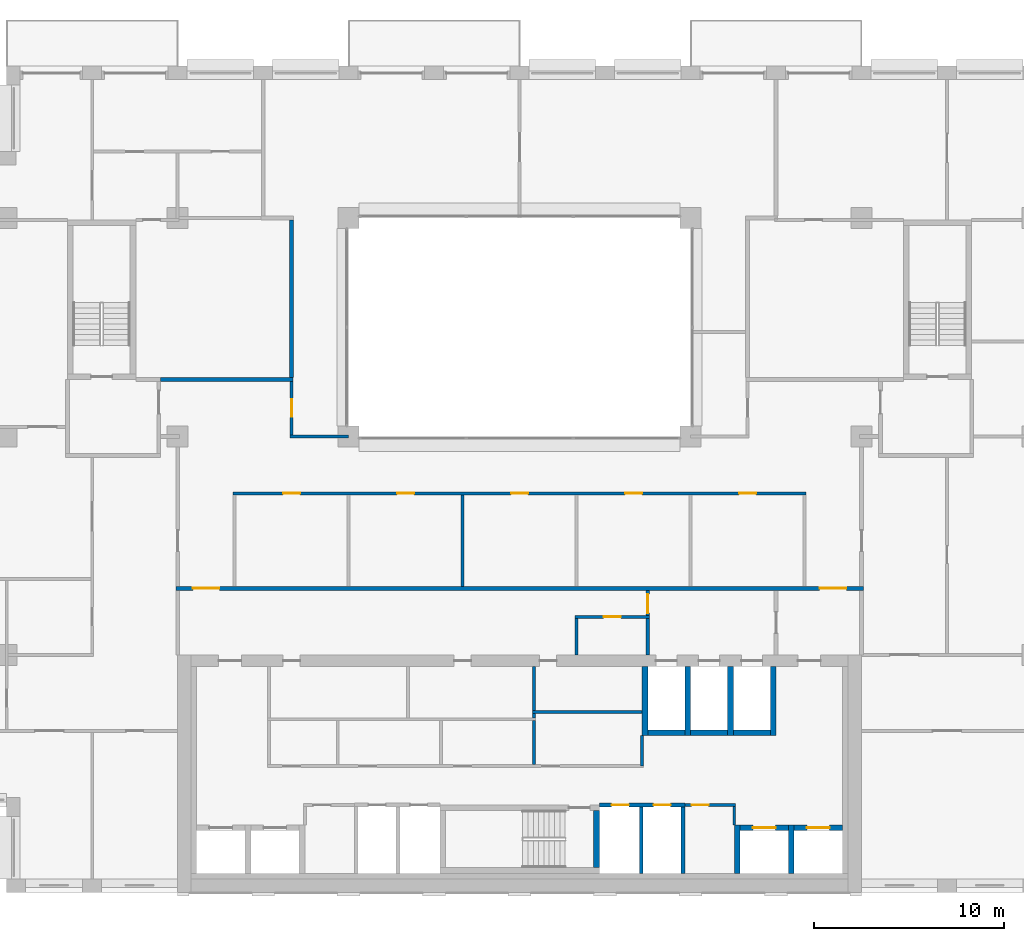
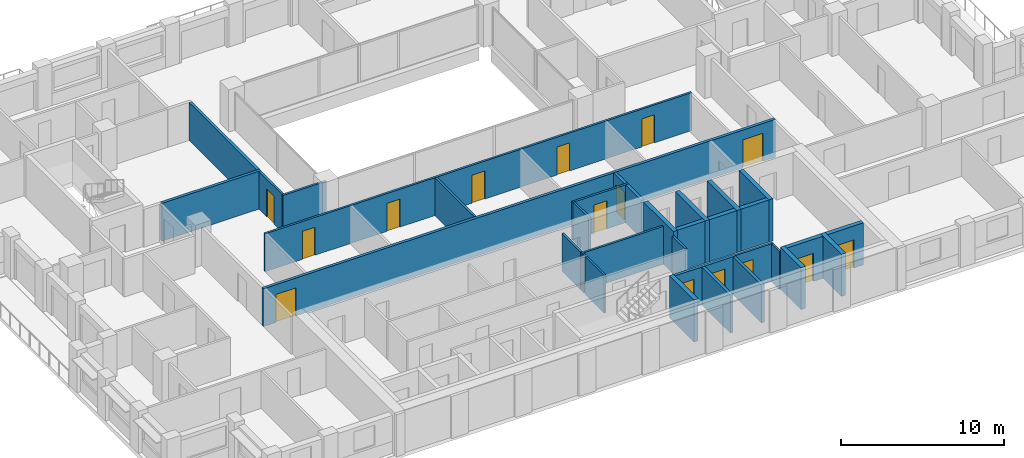
# One storey, part 10 of 16: 33 walls, 15 doors, 15 openings.
"""IFC4 building model written with IfcOpenShell, lengths in metres."""

from ifc_helpers import new_model, si_unit, direction, frame, frame_2d, origin, place, context, subcontext, project, spatial, rectangle, extrude, material, layer, layer_set, type_object, element, fill, save


model = new_model("IFC4")

# Units and contexts
model_context = context("Model", 3, precision=1e-05, world=origin(), true_north=direction((0.0, 1.0)))
body_context = subcontext(model_context, "Body", "Model", "MODEL_VIEW")
ifc_project = project(units=[si_unit("LENGTHUNIT", "METRE"), si_unit("AREAUNIT", "SQUARE_METRE"), si_unit("VOLUMEUNIT", "CUBIC_METRE"), si_unit("PLANEANGLEUNIT", "RADIAN"), si_unit("MASSUNIT", "GRAM", prefix="KILO")], contexts=[model_context])

# Site, building, storey
site_placement = place(None, origin())
site = spatial("IfcSite", under=ifc_project, at=site_placement, CompositionType="ELEMENT")
building_placement = place(site_placement, origin())
building = spatial("IfcBuilding", under=site, at=building_placement, Name="Brigalow Station Residences", CompositionType="ELEMENT")
storey_placement = place(building_placement, frame((0.0, 0.0, 163.35009765625)))
storey = spatial("IfcBuildingStorey", under=building, at=storey_placement, Name="L47", CompositionType="ELEMENT", Elevation=163.35009765625)

# Walls
ifc_material_1 = material(Name="Concrete C65", Category="concrete")
ifc_layer_1 = layer(ifc_material_1, 0.300048828125)
ifc_layer_set_1 = layer_set([ifc_layer_1], Name="CORE SHEAR WALL 300 C65")
wall_type_1 = type_object("IfcWallType", Name="CORE SHEAR WALL 300 C65", PredefinedType="SHEAR", material=ifc_layer_set_1)
wall_1_placement = place(storey_placement, frame((42.75, 8.39990234375, 0.0), z_axis=(0.0, 0.0, 1.0), x_axis=(1.0, 0.0, 0.0)))
element("IfcWall", 1, at=wall_1_placement, inside=storey, type_object=wall_type_1, Name="CORE WALL SH-FF1-S L47", PredefinedType="SHEAR", context=body_context, shape_type="SweptSolid", body=[
    extrude(rectangle(XDim=1.949951171875, YDim=0.300048828125, at=frame_2d((0.97509765625, 0.0))), origin(), (0.0, 0.0, 1.0), 3.14990234375),
])
wall_2_placement = place(storey_placement, frame((42.60009765625, 8.25, 0.0), z_axis=(0.0, 0.0, 1.0), x_axis=(0.0, 1.0, 0.0)))
element("IfcWall", 2, at=wall_2_placement, inside=storey, type_object=wall_type_1, Name="CORE WALL SH-FF1-W L47", PredefinedType="SHEAR", context=body_context, shape_type="SweptSolid", body=[
    extrude(rectangle(XDim=3.64990234375, YDim=0.300048828125, at=frame_2d((1.824951171875, 0.0))), origin(), (0.0, 0.0, 1.0), 3.14990234375),
])
wall_3_placement = place(storey_placement, frame((45.0, 8.39990234375, 0.0), z_axis=(0.0, 0.0, 1.0), x_axis=(1.0, 0.0, 0.0)))
element("IfcWall", 3, at=wall_3_placement, inside=storey, type_object=wall_type_1, Name="CORE WALL SH-FF2-S L47", PredefinedType="SHEAR", context=body_context, shape_type="SweptSolid", body=[
    extrude(rectangle(XDim=1.949951171875, YDim=0.300048828125, at=frame_2d((0.97509765625, 0.0))), origin(), (0.0, 0.0, 1.0), 3.14990234375),
])
wall_4_placement = place(storey_placement, frame((44.85009765625, 8.25, 0.0), z_axis=(0.0, 0.0, 1.0), x_axis=(0.0, 1.0, 0.0)))
element("IfcWall", 4, at=wall_4_placement, inside=storey, type_object=wall_type_1, Name="CORE WALL SH-FF2-W L47", PredefinedType="SHEAR", context=body_context, shape_type="SweptSolid", body=[
    extrude(rectangle(XDim=3.64990234375, YDim=0.300048828125, at=frame_2d((1.824951171875, 0.0))), origin(), (0.0, 0.0, 1.0), 3.14990234375),
])
wall_5_placement = place(storey_placement, frame((47.25, 8.39990234375, 0.0), z_axis=(0.0, 0.0, 1.0), x_axis=(1.0, 0.0, 0.0)))
element("IfcWall", 5, at=wall_5_placement, inside=storey, type_object=wall_type_1, Name="CORE WALL SH-SL1-S L47", PredefinedType="SHEAR", context=body_context, shape_type="SweptSolid", body=[
    extrude(rectangle(XDim=1.949951171875, YDim=0.300048828125, at=frame_2d((0.97509765625, 0.0))), origin(), (0.0, 0.0, 1.0), 3.14990234375),
])
for number, where, z_axis, x_axis, name in (
    (6, (47.10009765625, 8.25, 0.0), (0.0, 0.0, 1.0), (0.0, 1.0, 0.0), "CORE WALL SH-SL1-W L47"),
    (7, (49.35009765625, 8.25, 0.0), (0.0, 0.0, 1.0), (0.0, 1.0, 0.0), "CORE WALL SH-SL1-E L47"),
):
    element("IfcWall", number, at=place(storey_placement, frame(where, z_axis=z_axis, x_axis=x_axis)), inside=storey, type_object=wall_type_1, Name=name, PredefinedType="SHEAR", context=body_context, shape_type="SweptSolid", body=[
        extrude(rectangle(XDim=3.64990234375, YDim=0.300048828125, at=frame_2d((1.824951171875, 0.0))), origin(), (0.0, 0.0, 1.0), 3.14990234375),
    ])

# Wall, opening, door
wall_6_placement = place(storey_placement, frame((47.60009765625, 3.39990234375, 0.0), z_axis=(0.0, 0.0, 1.0), x_axis=(1.0, 0.0, 0.0)))
wall_6 = element("IfcWall", 8, at=wall_6_placement, inside=storey, type_object=wall_type_1, Name="CORE WALL SH-C3-N L47", PredefinedType="SHEAR", context=body_context, shape_type="SweptSolid", body=[
    extrude(rectangle(XDim=2.5498046875, YDim=0.300048828125, at=frame_2d((1.27490234375, 0.0))), origin(), (0.0, 0.0, 1.0), 3.14990234375),
])
opening_1_placement = place(wall_6_placement, frame((0.675048828125, 0.0, 0.0)))
opening_1 = element("IfcOpeningElement", 9, at=opening_1_placement, cuts=wall_6, Name="Opening LD-LB3", PredefinedType="OPENING", context=body_context, shape_type="SweptSolid", body=[
    extrude(rectangle(XDim=1.199951171875, YDim=2.10009765625, at=frame_2d((0.60009765625, 1.050048828125))), frame((0.0, 0.16015625, 0.0), z_axis=(0.0, -1.0, 0.0), x_axis=(1.0, 0.0, 0.0)), (0.0, 0.0, 1.0), 0.320068359375),
])
ifc_material_2 = material(Name="Stainless steel sliding door leaves", Category="steel")
door_type_1 = type_object("IfcDoorType", Name="LIFT LANDING DOOR 1200 x 2100", OperationType="DOUBLE_DOOR_SLIDING", PredefinedType="DOOR", material=ifc_material_2)
door_1_placement = place(opening_1_placement, origin())
door_1 = element("IfcDoor", 10, at=door_1_placement, inside=storey, type_object=door_type_1, Name="LANDING DOOR LB3", OperationType="DOUBLE_DOOR_SLIDING", OverallHeight=2.10009765625, OverallWidth=1.199951171875, PredefinedType="DOOR", context=body_context, shape_type="SweptSolid", body=[
    extrude(rectangle(XDim=1.199951171875, YDim=2.10009765625, at=frame_2d((0.60009765625, 1.050048828125))), frame((0.0, 0.02490234375, 0.0), z_axis=(0.0, -1.0, 0.0), x_axis=(1.0, 0.0, 0.0)), (0.0, 0.0, 1.0), 0.050048828125),
])
fill(opening_1, door_1)

# Wall
wall_7_placement = place(storey_placement, frame((47.449951171875, 1.0, 0.0), z_axis=(0.0, 0.0, 1.0), x_axis=(0.0, 1.0, 0.0)))
element("IfcWall", 11, at=wall_7_placement, inside=storey, type_object=wall_type_1, Name="CORE WALL SH-C3-W L47", PredefinedType="SHEAR", context=body_context, shape_type="SweptSolid", body=[
    extrude(rectangle(XDim=2.550048828125, YDim=0.300048828125, at=frame_2d((1.27490234375, 0.0))), origin(), (0.0, 0.0, 1.0), 3.14990234375),
])

# Wall, opening, door
wall_8_placement = place(storey_placement, frame((50.449951171875, 3.39990234375, 0.0), z_axis=(0.0, 0.0, 1.0), x_axis=(1.0, 0.0, 0.0)))
wall_8 = element("IfcWall", 12, at=wall_8_placement, inside=storey, type_object=wall_type_1, Name="CORE WALL SH-C4-N L47", PredefinedType="SHEAR", context=body_context, shape_type="SweptSolid", body=[
    extrude(rectangle(XDim=2.550048828125, YDim=0.300048828125, at=frame_2d((1.27490234375, 0.0))), origin(), (0.0, 0.0, 1.0), 3.14990234375),
])
opening_2_placement = place(wall_8_placement, frame((0.675048828125, 0.0, 0.0)))
opening_2 = element("IfcOpeningElement", 13, at=opening_2_placement, cuts=wall_8, Name="Opening LD-LB4", PredefinedType="OPENING", context=body_context, shape_type="SweptSolid", body=[
    extrude(rectangle(XDim=1.199951171875, YDim=2.10009765625, at=frame_2d((0.60009765625, 1.050048828125))), frame((0.0, 0.16015625, 0.0), z_axis=(0.0, -1.0, 0.0), x_axis=(1.0, 0.0, 0.0)), (0.0, 0.0, 1.0), 0.320068359375),
])
door_2_placement = place(opening_2_placement, origin())
door_2 = element("IfcDoor", 14, at=door_2_placement, inside=storey, type_object=door_type_1, Name="LANDING DOOR LB4", OperationType="DOUBLE_DOOR_SLIDING", OverallHeight=2.10009765625, OverallWidth=1.199951171875, PredefinedType="DOOR", context=body_context, shape_type="SweptSolid", body=[
    extrude(rectangle(XDim=1.199951171875, YDim=2.10009765625, at=frame_2d((0.60009765625, 1.050048828125))), frame((0.0, 0.02490234375, 0.0), z_axis=(0.0, -1.0, 0.0), x_axis=(1.0, 0.0, 0.0)), (0.0, 0.0, 1.0), 0.050048828125),
])
fill(opening_2, door_2)

# Walls
wall_9_placement = place(storey_placement, frame((50.300048828125, 1.0, 0.0), z_axis=(0.0, 0.0, 1.0), x_axis=(0.0, 1.0, 0.0)))
element("IfcWall", 15, at=wall_9_placement, inside=storey, type_object=wall_type_1, Name="CORE WALL SH-C4-W L47", PredefinedType="SHEAR", context=body_context, shape_type="SweptSolid", body=[
    extrude(rectangle(XDim=2.550048828125, YDim=0.300048828125, at=frame_2d((1.27490234375, 0.0))), origin(), (0.0, 0.0, 1.0), 3.14990234375),
])
wall_10_placement = place(storey_placement, frame((40.050048828125, 1.300048828125, 0.0), z_axis=(0.0, 0.0, 1.0), x_axis=(0.0, 1.0, 0.0)))
element("IfcWall", 16, at=wall_10_placement, inside=storey, type_object=wall_type_1, Name="CORE WALL ST-S2-E L47", PredefinedType="SHEAR", context=body_context, shape_type="SweptSolid", body=[
    extrude(rectangle(XDim=3.0, YDim=0.300048828125, at=frame_2d((1.5, 0.0))), origin(), (0.0, 0.0, 1.0), 3.14990234375),
])

# Wall, openings, doors
ifc_material_3 = material(Name="Concrete blockwork", Category="masonry")
ifc_layer_2 = layer(ifc_material_3, 0.199951171875)
ifc_layer_set_2 = layer_set([ifc_layer_2], Name="FIRE RATED CORE PARTITION 200")
wall_type_2 = type_object("IfcWallType", Name="FIRE RATED CORE PARTITION 200", PredefinedType="PARTITIONING", material=ifc_layer_set_2)
wall_11_placement = place(storey_placement, frame((40.199951171875, 4.60009765625, 0.0), z_axis=(0.0, 0.0, 1.0), x_axis=(1.0, 0.0, 0.0)))
wall_11 = element("IfcWall", 17, at=wall_11_placement, inside=storey, type_object=wall_type_2, Name="PW-5018", PredefinedType="PARTITIONING", context=body_context, shape_type="SweptSolid", body=[
    extrude(rectangle(XDim=4.5, YDim=0.199951171875, at=frame_2d((2.25, 0.0))), origin(), (0.0, 0.0, 1.0), 2.829833984375),
])
opening_3_placement = place(wall_11_placement, frame((0.64990234375, 0.0, 0.0)))
opening_3 = element("IfcOpeningElement", 18, at=opening_3_placement, cuts=wall_11, Name="Opening D-5009", PredefinedType="OPENING", context=body_context, shape_type="SweptSolid", body=[
    extrude(rectangle(XDim=0.89990234375, YDim=2.10009765625, at=frame_2d((0.449951171875, 1.050048828125))), frame((0.0, 0.10986328125, 0.0), z_axis=(0.0, -1.0, 0.0), x_axis=(1.0, 0.0, 0.0)), (0.0, 0.0, 1.0), 0.219970703125),
])
opening_4_placement = place(wall_11_placement, frame((2.85009765625, 0.0, 0.0)))
opening_4 = element("IfcOpeningElement", 19, at=opening_4_placement, cuts=wall_11, Name="Opening D-5010", PredefinedType="OPENING", context=body_context, shape_type="SweptSolid", body=[
    extrude(rectangle(XDim=0.89990234375, YDim=2.10009765625, at=frame_2d((0.449951171875, 1.050048828125))), frame((0.0, 0.10986328125, 0.0), z_axis=(0.0, -1.0, 0.0), x_axis=(1.0, 0.0, 0.0)), (0.0, 0.0, 1.0), 0.219970703125),
])
ifc_material_4 = material(Name="Steel fire door leaf in steel frame", Category="steel")
door_type_2 = type_object("IfcDoorType", Name="RISER ACCESS DOOR 900 x 2100 FD120", OperationType="SINGLE_SWING_LEFT", PredefinedType="DOOR", material=ifc_material_4)
door_3_placement = place(opening_3_placement, frame((0.89990234375, 0.0, 0.0), z_axis=(0.0, 0.0, 1.0), x_axis=(-1.0, 0.0, 0.0)))
door_3 = element("IfcDoor", 20, at=door_3_placement, inside=storey, type_object=door_type_2, Name="D-5009", OperationType="SINGLE_SWING_LEFT", OverallHeight=2.10009765625, OverallWidth=0.89990234375, PredefinedType="DOOR", context=body_context, shape_type="SweptSolid", body=[
    extrude(rectangle(XDim=0.89990234375, YDim=2.10009765625, at=frame_2d((0.449951171875, 1.050048828125))), frame((0.0, 0.02490234375, 0.0), z_axis=(0.0, -1.0, 0.0), x_axis=(1.0, 0.0, 0.0)), (0.0, 0.0, 1.0), 0.050048828125),
])
fill(opening_3, door_3)
door_4_placement = place(opening_4_placement, frame((0.89990234375, 0.0, 0.0), z_axis=(0.0, 0.0, 1.0), x_axis=(-1.0, 0.0, 0.0)))
door_4 = element("IfcDoor", 21, at=door_4_placement, inside=storey, type_object=door_type_2, Name="D-5010", OperationType="SINGLE_SWING_LEFT", OverallHeight=2.10009765625, OverallWidth=0.89990234375, PredefinedType="DOOR", context=body_context, shape_type="SweptSolid", body=[
    extrude(rectangle(XDim=0.89990234375, YDim=2.10009765625, at=frame_2d((0.449951171875, 1.050048828125))), frame((0.0, 0.02490234375, 0.0), z_axis=(0.0, -1.0, 0.0), x_axis=(1.0, 0.0, 0.0)), (0.0, 0.0, 1.0), 0.050048828125),
])
fill(opening_4, door_4)

# Walls
for number, where, z_axis, x_axis, name in (
    (22, (42.39990234375, 1.0, 0.0), (0.0, 0.0, 1.0), (0.0, 1.0, 0.0), "PW-5007"),
    (23, (44.60009765625, 1.0, 0.0), (0.0, 0.0, 1.0), (0.0, 1.0, 0.0), "PW-5008"),
):
    element("IfcWall", number, at=place(storey_placement, frame(where, z_axis=z_axis, x_axis=x_axis)), inside=storey, type_object=wall_type_2, Name=name, PredefinedType="PARTITIONING", context=body_context, shape_type="SweptSolid", body=[
        extrude(rectangle(XDim=3.5, YDim=0.199951171875, at=frame_2d((1.75, 0.0))), origin(), (0.0, 0.0, 1.0), 2.829833984375),
    ])
wall_12_placement = place(storey_placement, frame((42.75, 12.5, 0.0), z_axis=(0.0, 0.0, 1.0), x_axis=(0.0, 1.0, 0.0)))
element("IfcWall", 24, at=wall_12_placement, inside=storey, type_object=wall_type_2, Name="PW-5046", PredefinedType="PARTITIONING", context=body_context, shape_type="SweptSolid", body=[
    extrude(rectangle(XDim=1.925048828125, YDim=0.199951171875, at=frame_2d((0.96240234375, 0.0))), origin(), (0.0, 0.0, 1.0), 2.829833984375),
])

# Wall, opening, door
wall_13_placement = place(storey_placement, frame((42.75, 14.574951171875, 0.0), z_axis=(0.0, 0.0, 1.0), x_axis=(0.0, 1.0, 0.0)))
wall_13 = element("IfcWall", 25, at=wall_13_placement, inside=storey, type_object=wall_type_2, Name="PW-5047", PredefinedType="PARTITIONING", context=body_context, shape_type="SweptSolid", body=[
    extrude(rectangle(XDim=1.324951171875, YDim=0.199951171875, at=frame_2d((0.66259765625, 0.0))), origin(), (0.0, 0.0, 1.0), 2.829833984375),
])
opening_5_placement = place(wall_13_placement, frame((0.125, 0.0, 0.0)))
opening_5 = element("IfcOpeningElement", 26, at=opening_5_placement, cuts=wall_13, Name="Opening D-5013", PredefinedType="OPENING", context=body_context, shape_type="SweptSolid", body=[
    extrude(rectangle(XDim=1.0, YDim=2.10009765625, at=frame_2d((0.5, 1.050048828125))), frame((0.0, 0.10986328125, 0.0), z_axis=(0.0, -1.0, 0.0), x_axis=(1.0, 0.0, 0.0)), (0.0, 0.0, 1.0), 0.219970703125),
])
ifc_material_5 = material(Name="Steel fire door leaf in steel frame", Category="steel")
door_type_3 = type_object("IfcDoorType", Name="LOBBY DOOR 1000 x 2100 FD60S", OperationType="SINGLE_SWING_LEFT", PredefinedType="DOOR", material=ifc_material_5)
door_5_placement = place(opening_5_placement, origin())
door_5 = element("IfcDoor", 27, at=door_5_placement, inside=storey, type_object=door_type_3, Name="D-5013", OperationType="SINGLE_SWING_LEFT", OverallHeight=2.10009765625, OverallWidth=1.0, PredefinedType="DOOR", context=body_context, shape_type="SweptSolid", body=[
    extrude(rectangle(XDim=1.0, YDim=2.10009765625, at=frame_2d((0.5, 1.050048828125))), frame((0.0, 0.02490234375, 0.0), z_axis=(0.0, -1.0, 0.0), x_axis=(1.0, 0.0, 0.0)), (0.0, 0.0, 1.0), 0.050048828125),
])
fill(opening_5, door_5)

# Wall
ifc_material_6 = material(Name="Plasterboard on steel stud partition", Category="steel")
ifc_layer_3 = layer(ifc_material_6, 0.14990234375)
ifc_layer_set_3 = layer_set([ifc_layer_3], Name="FLAT PARTITION 150")
wall_type_3 = type_object("IfcWallType", Name="FLAT PARTITION 150", PredefinedType="PARTITIONING", material=ifc_layer_set_3)
wall_14_placement = place(storey_placement, frame((23.925048828125, 24.0, 0.0), z_axis=(0.0, 0.0, 1.0), x_axis=(1.0, 0.0, 0.0)))
element("IfcWall", 28, at=wall_14_placement, inside=storey, type_object=wall_type_3, Name="PW-3C01", PredefinedType="PARTITIONING", context=body_context, shape_type="SweptSolid", body=[
    extrude(rectangle(XDim=3.074951171875, YDim=0.14990234375, at=frame_2d((1.53759765625, 0.0))), origin(), (0.0, 0.0, 1.0), 2.829833984375),
])

# Wall, openings, doors
wall_15_placement = place(storey_placement, frame((20.925048828125, 21.0, 0.0), z_axis=(0.0, 0.0, 1.0), x_axis=(1.0, 0.0, 0.0)))
wall_15 = element("IfcWall", 29, at=wall_15_placement, inside=storey, type_object=wall_type_3, Name="PW-3C06", PredefinedType="PARTITIONING", context=body_context, shape_type="SweptSolid", body=[
    extrude(rectangle(XDim=30.14990234375, YDim=0.14990234375, at=frame_2d((15.074951171875, 0.0))), origin(), (0.0, 0.0, 1.0), 2.829833984375),
])
opening_6_placement = place(wall_15_placement, frame((2.625, 0.0, 0.0)))
opening_6 = element("IfcOpeningElement", 30, at=opening_6_placement, cuts=wall_15, Name="Opening D-3C34", PredefinedType="OPENING", context=body_context, shape_type="SweptSolid", body=[
    extrude(rectangle(XDim=0.89990234375, YDim=2.10009765625, at=frame_2d((0.449951171875, 1.050048828125))), frame((0.0, 0.0849609375, 0.0), z_axis=(0.0, -1.0, 0.0), x_axis=(1.0, 0.0, 0.0)), (0.0, 0.0, 1.0), 0.169921875),
])
opening_7_placement = place(wall_15_placement, frame((8.625, 0.0, 0.0)))
opening_7 = element("IfcOpeningElement", 31, at=opening_7_placement, cuts=wall_15, Name="Opening D-3C35", PredefinedType="OPENING", context=body_context, shape_type="SweptSolid", body=[
    extrude(rectangle(XDim=0.89990234375, YDim=2.10009765625, at=frame_2d((0.449951171875, 1.050048828125))), frame((0.0, 0.0849609375, 0.0), z_axis=(0.0, -1.0, 0.0), x_axis=(1.0, 0.0, 0.0)), (0.0, 0.0, 1.0), 0.169921875),
])
opening_8_placement = place(wall_15_placement, frame((14.625, 0.0, 0.0)))
opening_8 = element("IfcOpeningElement", 32, at=opening_8_placement, cuts=wall_15, Name="Opening D-3C36", PredefinedType="OPENING", context=body_context, shape_type="SweptSolid", body=[
    extrude(rectangle(XDim=0.89990234375, YDim=2.10009765625, at=frame_2d((0.449951171875, 1.050048828125))), frame((0.0, 0.0849609375, 0.0), z_axis=(0.0, -1.0, 0.0), x_axis=(1.0, 0.0, 0.0)), (0.0, 0.0, 1.0), 0.169921875),
])
opening_9_placement = place(wall_15_placement, frame((20.625, 0.0, 0.0)))
opening_9 = element("IfcOpeningElement", 33, at=opening_9_placement, cuts=wall_15, Name="Opening D-3C37", PredefinedType="OPENING", context=body_context, shape_type="SweptSolid", body=[
    extrude(rectangle(XDim=0.89990234375, YDim=2.10009765625, at=frame_2d((0.449951171875, 1.050048828125))), frame((0.0, 0.0849609375, 0.0), z_axis=(0.0, -1.0, 0.0), x_axis=(1.0, 0.0, 0.0)), (0.0, 0.0, 1.0), 0.169921875),
])
opening_10_placement = place(wall_15_placement, frame((26.625, 0.0, 0.0)))
opening_10 = element("IfcOpeningElement", 34, at=opening_10_placement, cuts=wall_15, Name="Opening D-3C38", PredefinedType="OPENING", context=body_context, shape_type="SweptSolid", body=[
    extrude(rectangle(XDim=0.89990234375, YDim=2.10009765625, at=frame_2d((0.449951171875, 1.050048828125))), frame((0.0, 0.0849609375, 0.0), z_axis=(0.0, -1.0, 0.0), x_axis=(1.0, 0.0, 0.0)), (0.0, 0.0, 1.0), 0.169921875),
])
ifc_material_7 = material(Name="Solid-core timber door leaf", Category="wood")
door_type_4 = type_object("IfcDoorType", Name="INTERNAL DOOR 900 x 2100", OperationType="SINGLE_SWING_LEFT", PredefinedType="DOOR", material=ifc_material_7)
door_6_placement = place(opening_6_placement, frame((0.89990234375, 0.0, 0.0), z_axis=(0.0, 0.0, 1.0), x_axis=(-1.0, 0.0, 0.0)))
door_6 = element("IfcDoor", 35, at=door_6_placement, inside=storey, type_object=door_type_4, Name="D-3C34", OperationType="SINGLE_SWING_RIGHT", OverallHeight=2.10009765625, OverallWidth=0.89990234375, PredefinedType="DOOR", context=body_context, shape_type="SweptSolid", body=[
    extrude(rectangle(XDim=0.89990234375, YDim=2.10009765625, at=frame_2d((0.449951171875, 1.050048828125))), frame((0.0, 0.02490234375, 0.0), z_axis=(0.0, -1.0, 0.0), x_axis=(1.0, 0.0, 0.0)), (0.0, 0.0, 1.0), 0.050048828125),
])
fill(opening_6, door_6)
door_7_placement = place(opening_7_placement, frame((0.89990234375, 0.0, 0.0), z_axis=(0.0, 0.0, 1.0), x_axis=(-1.0, 0.0, 0.0)))
door_7 = element("IfcDoor", 36, at=door_7_placement, inside=storey, type_object=door_type_4, Name="D-3C35", OperationType="SINGLE_SWING_RIGHT", OverallHeight=2.10009765625, OverallWidth=0.89990234375, PredefinedType="DOOR", context=body_context, shape_type="SweptSolid", body=[
    extrude(rectangle(XDim=0.89990234375, YDim=2.10009765625, at=frame_2d((0.449951171875, 1.050048828125))), frame((0.0, 0.02490234375, 0.0), z_axis=(0.0, -1.0, 0.0), x_axis=(1.0, 0.0, 0.0)), (0.0, 0.0, 1.0), 0.050048828125),
])
fill(opening_7, door_7)
door_8_placement = place(opening_8_placement, frame((0.89990234375, 0.0, 0.0), z_axis=(0.0, 0.0, 1.0), x_axis=(-1.0, 0.0, 0.0)))
door_8 = element("IfcDoor", 37, at=door_8_placement, inside=storey, type_object=door_type_4, Name="D-3C36", OperationType="SINGLE_SWING_RIGHT", OverallHeight=2.10009765625, OverallWidth=0.89990234375, PredefinedType="DOOR", context=body_context, shape_type="SweptSolid", body=[
    extrude(rectangle(XDim=0.89990234375, YDim=2.10009765625, at=frame_2d((0.449951171875, 1.050048828125))), frame((0.0, 0.02490234375, 0.0), z_axis=(0.0, -1.0, 0.0), x_axis=(1.0, 0.0, 0.0)), (0.0, 0.0, 1.0), 0.050048828125),
])
fill(opening_8, door_8)
door_9_placement = place(opening_9_placement, frame((0.89990234375, 0.0, 0.0), z_axis=(0.0, 0.0, 1.0), x_axis=(-1.0, 0.0, 0.0)))
door_9 = element("IfcDoor", 38, at=door_9_placement, inside=storey, type_object=door_type_4, Name="D-3C37", OperationType="SINGLE_SWING_RIGHT", OverallHeight=2.10009765625, OverallWidth=0.89990234375, PredefinedType="DOOR", context=body_context, shape_type="SweptSolid", body=[
    extrude(rectangle(XDim=0.89990234375, YDim=2.10009765625, at=frame_2d((0.449951171875, 1.050048828125))), frame((0.0, 0.02490234375, 0.0), z_axis=(0.0, -1.0, 0.0), x_axis=(1.0, 0.0, 0.0)), (0.0, 0.0, 1.0), 0.050048828125),
])
fill(opening_9, door_9)
door_10_placement = place(opening_10_placement, frame((0.89990234375, 0.0, 0.0), z_axis=(0.0, 0.0, 1.0), x_axis=(-1.0, 0.0, 0.0)))
door_10 = element("IfcDoor", 39, at=door_10_placement, inside=storey, type_object=door_type_4, Name="D-3C38", OperationType="SINGLE_SWING_LEFT", OverallHeight=2.10009765625, OverallWidth=0.89990234375, PredefinedType="DOOR", context=body_context, shape_type="SweptSolid", body=[
    extrude(rectangle(XDim=0.89990234375, YDim=2.10009765625, at=frame_2d((0.449951171875, 1.050048828125))), frame((0.0, 0.02490234375, 0.0), z_axis=(0.0, -1.0, 0.0), x_axis=(1.0, 0.0, 0.0)), (0.0, 0.0, 1.0), 0.050048828125),
])
fill(opening_10, door_10)

# Wall, opening, door
wall_16_placement = place(storey_placement, frame((24.0, 24.074951171875, 0.0), z_axis=(0.0, 0.0, 1.0), x_axis=(0.0, 1.0, 0.0)))
wall_16 = element("IfcWall", 40, at=wall_16_placement, inside=storey, type_object=wall_type_3, Name="PW-3C32", PredefinedType="PARTITIONING", context=body_context, shape_type="SweptSolid", body=[
    extrude(rectangle(XDim=2.824951171875, YDim=0.14990234375, at=frame_2d((1.41259765625, 0.0))), origin(), (0.0, 0.0, 1.0), 2.829833984375),
])
opening_11_placement = place(wall_16_placement, frame((0.97509765625, 0.0, 0.0)))
opening_11 = element("IfcOpeningElement", 41, at=opening_11_placement, cuts=wall_16, Name="Opening D-3C31", PredefinedType="OPENING", context=body_context, shape_type="SweptSolid", body=[
    extrude(rectangle(XDim=0.89990234375, YDim=2.10009765625, at=frame_2d((0.449951171875, 1.050048828125))), frame((0.0, 0.0849609375, 0.0), z_axis=(0.0, -1.0, 0.0), x_axis=(1.0, 0.0, 0.0)), (0.0, 0.0, 1.0), 0.169921875),
])
door_11_placement = place(opening_11_placement, origin())
door_11 = element("IfcDoor", 42, at=door_11_placement, inside=storey, type_object=door_type_4, Name="D-3C31", OperationType="SINGLE_SWING_RIGHT", OverallHeight=2.10009765625, OverallWidth=0.89990234375, PredefinedType="DOOR", context=body_context, shape_type="SweptSolid", body=[
    extrude(rectangle(XDim=0.89990234375, YDim=2.10009765625, at=frame_2d((0.449951171875, 1.050048828125))), frame((0.0, 0.02490234375, 0.0), z_axis=(0.0, -1.0, 0.0), x_axis=(1.0, 0.0, 0.0)), (0.0, 0.0, 1.0), 0.050048828125),
])
fill(opening_11, door_11)

# Walls
wall_17_placement = place(storey_placement, frame((33.0, 16.10009765625, 0.0), z_axis=(0.0, 0.0, 1.0), x_axis=(0.0, 1.0, 0.0)))
element("IfcWall", 43, at=wall_17_placement, inside=storey, type_object=wall_type_3, Name="PW-3C52", PredefinedType="PARTITIONING", context=body_context, shape_type="SweptSolid", body=[
    extrude(rectangle(XDim=4.824951171875, YDim=0.14990234375, at=frame_2d((2.41259765625, 0.0))), origin(), (0.0, 0.0, 1.0), 2.829833984375),
])
ifc_material_8 = material(Name="Plasterboard on steel stud partition", Category="steel")
ifc_layer_4 = layer(ifc_material_8, 0.199951171875)
ifc_layer_set_4 = layer_set([ifc_layer_4], Name="PARTY AND CORRIDOR WALL 200")
wall_type_4 = type_object("IfcWallType", Name="PARTY AND CORRIDOR WALL 200", PredefinedType="PARTITIONING", material=ifc_layer_set_4)
wall_18_placement = place(storey_placement, frame((17.10009765625, 27.0, 0.0), z_axis=(0.0, 0.0, 1.0), x_axis=(1.0, 0.0, 0.0)))
element("IfcWall", 44, at=wall_18_placement, inside=storey, type_object=wall_type_4, Name="PW-3C07", PredefinedType="PARTITIONING", context=body_context, shape_type="SweptSolid", body=[
    extrude(rectangle(XDim=6.974853515625, YDim=0.199951171875, at=frame_2d((3.4873046875, 0.0))), origin(), (0.0, 0.0, 1.0), 2.829833984375),
])

# Wall, openings, doors
wall_19_placement = place(storey_placement, frame((17.89990234375, 16.0, 0.0), z_axis=(0.0, 0.0, 1.0), x_axis=(1.0, 0.0, 0.0)))
wall_19 = element("IfcWall", 45, at=wall_19_placement, inside=storey, type_object=wall_type_4, Name="PW-3C26", PredefinedType="PARTITIONING", context=body_context, shape_type="SweptSolid", body=[
    extrude(rectangle(XDim=36.2001953125, YDim=0.199951171875, at=frame_2d((18.10009765625, 0.0))), origin(), (0.0, 0.0, 1.0), 2.829833984375),
])
opening_12_placement = place(wall_19_placement, frame((0.89990234375, 0.0, 0.0)))
opening_12 = element("IfcOpeningElement", 46, at=opening_12_placement, cuts=wall_19, Name="Opening D-3C01", PredefinedType="OPENING", context=body_context, shape_type="SweptSolid", body=[
    extrude(rectangle(XDim=1.39990234375, YDim=2.10009765625, at=frame_2d((0.699951171875, 1.050048828125))), frame((0.0, 0.10986328125, 0.0), z_axis=(0.0, -1.0, 0.0), x_axis=(1.0, 0.0, 0.0)), (0.0, 0.0, 1.0), 0.219970703125),
])
opening_13_placement = place(wall_19_placement, frame((33.89990234375, 0.0, 0.0)))
opening_13 = element("IfcOpeningElement", 47, at=opening_13_placement, cuts=wall_19, Name="Opening D-3C02", PredefinedType="OPENING", context=body_context, shape_type="SweptSolid", body=[
    extrude(rectangle(XDim=1.39990234375, YDim=2.10009765625, at=frame_2d((0.699951171875, 1.050048828125))), frame((0.0, 0.10986328125, 0.0), z_axis=(0.0, -1.0, 0.0), x_axis=(1.0, 0.0, 0.0)), (0.0, 0.0, 1.0), 0.219970703125),
])
ifc_material_9 = material(Name="Solid-core timber door leaf", Category="wood")
door_type_5 = type_object("IfcDoorType", Name="CORRIDOR FIRE DOOR 1400 x 2100 FRL -/60/30", OperationType="DOUBLE_DOOR_SINGLE_SWING", PredefinedType="DOOR", material=ifc_material_9)
door_12_placement = place(opening_12_placement, frame((1.39990234375, 0.0, 0.0), z_axis=(0.0, 0.0, 1.0), x_axis=(-1.0, 0.0, 0.0)))
door_12 = element("IfcDoor", 48, at=door_12_placement, inside=storey, type_object=door_type_5, Name="D-3C01", OperationType="DOUBLE_DOOR_SINGLE_SWING", OverallHeight=2.10009765625, OverallWidth=1.39990234375, PredefinedType="DOOR", context=body_context, shape_type="SweptSolid", body=[
    extrude(rectangle(XDim=1.39990234375, YDim=2.10009765625, at=frame_2d((0.699951171875, 1.050048828125))), frame((0.0, 0.02490234375, 0.0), z_axis=(0.0, -1.0, 0.0), x_axis=(1.0, 0.0, 0.0)), (0.0, 0.0, 1.0), 0.050048828125),
])
fill(opening_12, door_12)
door_13_placement = place(opening_13_placement, frame((1.39990234375, 0.0, 0.0), z_axis=(0.0, 0.0, 1.0), x_axis=(-1.0, 0.0, 0.0)))
door_13 = element("IfcDoor", 49, at=door_13_placement, inside=storey, type_object=door_type_5, Name="D-3C02", OperationType="DOUBLE_DOOR_SINGLE_SWING", OverallHeight=2.10009765625, OverallWidth=1.39990234375, PredefinedType="DOOR", context=body_context, shape_type="SweptSolid", body=[
    extrude(rectangle(XDim=1.39990234375, YDim=2.10009765625, at=frame_2d((0.699951171875, 1.050048828125))), frame((0.0, 0.02490234375, 0.0), z_axis=(0.0, -1.0, 0.0), x_axis=(1.0, 0.0, 0.0)), (0.0, 0.0, 1.0), 0.050048828125),
])
fill(opening_13, door_13)

# Wall
wall_20_placement = place(storey_placement, frame((24.0, 27.10009765625, 0.0), z_axis=(0.0, 0.0, 1.0), x_axis=(0.0, 1.0, 0.0)))
element("IfcWall", 50, at=wall_20_placement, inside=storey, type_object=wall_type_4, Name="PW-3C33", PredefinedType="PARTITIONING", context=body_context, shape_type="SweptSolid", body=[
    extrude(rectangle(XDim=8.2998046875, YDim=0.199951171875, at=frame_2d((4.14990234375, 0.0))), origin(), (0.0, 0.0, 1.0), 2.829833984375),
])

# Wall, opening, door
ifc_material_10 = material(Name="Plasterboard on steel studs", Category="steel")
ifc_layer_5 = layer(ifc_material_10, 0.14990234375)
ifc_layer_set_5 = layer_set([ifc_layer_5], Name="SERVICE ROOM PARTITION 150")
wall_type_5 = type_object("IfcWallType", Name="SERVICE ROOM PARTITION 150", PredefinedType="PARTITIONING", material=ifc_layer_set_5)
wall_21_placement = place(storey_placement, frame((44.699951171875, 4.60009765625, 0.0), z_axis=(0.0, 0.0, 1.0), x_axis=(1.0, 0.0, 0.0)))
wall_21 = element("IfcWall", 51, at=wall_21_placement, inside=storey, type_object=wall_type_5, Name="PW-5156", PredefinedType="PARTITIONING", context=body_context, shape_type="SweptSolid", body=[
    extrude(rectangle(XDim=2.675048828125, YDim=0.14990234375, at=frame_2d((1.33740234375, 0.0))), origin(), (0.0, 0.0, 1.0), 2.829833984375),
])
opening_14_placement = place(wall_21_placement, frame((0.35009765625, 0.0, 0.0)))
opening_14 = element("IfcOpeningElement", 52, at=opening_14_placement, cuts=wall_21, Name="Opening D-5026", PredefinedType="OPENING", context=body_context, shape_type="SweptSolid", body=[
    extrude(rectangle(XDim=0.89990234375, YDim=2.10009765625, at=frame_2d((0.449951171875, 1.050048828125))), frame((0.0, 0.0849609375, 0.0), z_axis=(0.0, -1.0, 0.0), x_axis=(1.0, 0.0, 0.0)), (0.0, 0.0, 1.0), 0.169921875),
])
ifc_material_11 = material(Name="Steel door leaf in steel frame", Category="steel")
door_type_6 = type_object("IfcDoorType", Name="SERVICE ROOM DOOR 900 x 2100 FD60", OperationType="SINGLE_SWING_LEFT", PredefinedType="DOOR", material=ifc_material_11)
door_14_placement = place(opening_14_placement, frame((0.89990234375, 0.0, 0.0), z_axis=(0.0, 0.0, 1.0), x_axis=(-1.0, 0.0, 0.0)))
door_14 = element("IfcDoor", 53, at=door_14_placement, inside=storey, type_object=door_type_6, Name="D-5026", OperationType="SINGLE_SWING_RIGHT", OverallHeight=2.10009765625, OverallWidth=0.89990234375, PredefinedType="DOOR", context=body_context, shape_type="SweptSolid", body=[
    extrude(rectangle(XDim=0.89990234375, YDim=2.10009765625, at=frame_2d((0.449951171875, 1.050048828125))), frame((0.0, 0.02490234375, 0.0), z_axis=(0.0, -1.0, 0.0), x_axis=(1.0, 0.0, 0.0)), (0.0, 0.0, 1.0), 0.050048828125),
])
fill(opening_14, door_14)

# Wall
wall_22_placement = place(storey_placement, frame((36.675048828125, 9.5, 0.0), z_axis=(0.0, 0.0, 1.0), x_axis=(1.0, 0.0, 0.0)))
element("IfcWall", 54, at=wall_22_placement, inside=storey, type_object=wall_type_5, Name="PW-5215", PredefinedType="PARTITIONING", context=body_context, shape_type="SweptSolid", body=[
    extrude(rectangle(XDim=5.77490234375, YDim=0.14990234375, at=frame_2d((2.887451171875, 0.0))), origin(), (0.0, 0.0, 1.0), 2.829833984375),
])

# Wall, opening, door
wall_23_placement = place(storey_placement, frame((38.925048828125, 14.5, 0.0), z_axis=(0.0, 0.0, 1.0), x_axis=(1.0, 0.0, 0.0)))
wall_23 = element("IfcWall", 55, at=wall_23_placement, inside=storey, type_object=wall_type_5, Name="PW-5129", PredefinedType="PARTITIONING", context=body_context, shape_type="SweptSolid", body=[
    extrude(rectangle(XDim=3.925048828125, YDim=0.14990234375, at=frame_2d((1.96240234375, 0.0))), origin(), (0.0, 0.0, 1.0), 2.829833984375),
])
opening_15_placement = place(wall_23_placement, frame((1.5, 0.0, 0.0)))
opening_15 = element("IfcOpeningElement", 56, at=opening_15_placement, cuts=wall_23, Name="Opening D-5076", PredefinedType="OPENING", context=body_context, shape_type="SweptSolid", body=[
    extrude(rectangle(XDim=0.89990234375, YDim=2.10009765625, at=frame_2d((0.449951171875, 1.050048828125))), frame((0.0, 0.0849609375, 0.0), z_axis=(0.0, -1.0, 0.0), x_axis=(1.0, 0.0, 0.0)), (0.0, 0.0, 1.0), 0.169921875),
])
door_15_placement = place(opening_15_placement, frame((0.89990234375, 0.0, 0.0), z_axis=(0.0, 0.0, 1.0), x_axis=(-1.0, 0.0, 0.0)))
door_15 = element("IfcDoor", 57, at=door_15_placement, inside=storey, type_object=door_type_6, Name="D-5076", OperationType="SINGLE_SWING_LEFT", OverallHeight=2.10009765625, OverallWidth=0.89990234375, PredefinedType="DOOR", context=body_context, shape_type="SweptSolid", body=[
    extrude(rectangle(XDim=0.89990234375, YDim=2.10009765625, at=frame_2d((0.449951171875, 1.050048828125))), frame((0.0, 0.02490234375, 0.0), z_axis=(0.0, -1.0, 0.0), x_axis=(1.0, 0.0, 0.0)), (0.0, 0.0, 1.0), 0.050048828125),
])
fill(opening_15, door_15)

# Walls
wall_24_placement = place(storey_placement, frame((47.300048828125, 3.550048828125, 0.0), z_axis=(0.0, 0.0, 1.0), x_axis=(0.0, 1.0, 0.0)))
element("IfcWall", 58, at=wall_24_placement, inside=storey, type_object=wall_type_5, Name="PW-5158", PredefinedType="PARTITIONING", context=body_context, shape_type="SweptSolid", body=[
    extrude(rectangle(XDim=0.974853515625, YDim=0.14990234375, at=frame_2d((0.4873046875, 0.0))), origin(), (0.0, 0.0, 1.0), 2.829833984375),
])
wall_25_placement = place(storey_placement, frame((42.449951171875, 6.64990234375, 0.0), z_axis=(0.0, 0.0, 1.0), x_axis=(0.0, 1.0, 0.0)))
element("IfcWall", 59, at=wall_25_placement, inside=storey, type_object=wall_type_5, Name="PW-5029", PredefinedType="PARTITIONING", context=body_context, shape_type="SweptSolid", body=[
    extrude(rectangle(XDim=1.60009765625, YDim=0.14990234375, at=frame_2d((0.800048828125, 0.0))), origin(), (0.0, 0.0, 1.0), 2.829833984375),
])
wall_26_placement = place(storey_placement, frame((36.75, 6.72509765625, 0.0), z_axis=(0.0, 0.0, 1.0), x_axis=(0.0, 1.0, 0.0)))
element("IfcWall", 60, at=wall_26_placement, inside=storey, type_object=wall_type_5, Name="PW-5219", PredefinedType="PARTITIONING", context=body_context, shape_type="SweptSolid", body=[
    extrude(rectangle(XDim=2.309814453125, YDim=0.14990234375, at=frame_2d((1.15478515625, 0.0))), origin(), (0.0, 0.0, 1.0), 2.829833984375),
])
wall_27_placement = place(storey_placement, frame((36.75, 9.18505859375, 0.0), z_axis=(0.0, 0.0, 1.0), x_axis=(0.0, 1.0, 0.0)))
element("IfcWall", 61, at=wall_27_placement, inside=storey, type_object=wall_type_5, Name="PW-5222", PredefinedType="PARTITIONING", context=body_context, shape_type="SweptSolid", body=[
    extrude(rectangle(XDim=0.239990234375, YDim=0.14990234375, at=frame_2d((0.1201171875, 0.0))), origin(), (0.0, 0.0, 1.0), 2.829833984375),
])
wall_28_placement = place(storey_placement, frame((36.75, 9.574951171875, 0.0), z_axis=(0.0, 0.0, 1.0), x_axis=(0.0, 1.0, 0.0)))
element("IfcWall", 62, at=wall_28_placement, inside=storey, type_object=wall_type_5, Name="PW-5223", PredefinedType="PARTITIONING", context=body_context, shape_type="SweptSolid", body=[
    extrude(rectangle(XDim=2.324951171875, YDim=0.14990234375, at=frame_2d((1.16259765625, 0.0))), origin(), (0.0, 0.0, 1.0), 2.829833984375),
])
wall_29_placement = place(storey_placement, frame((39.0, 12.5, 0.0), z_axis=(0.0, 0.0, 1.0), x_axis=(0.0, 1.0, 0.0)))
element("IfcWall", 63, at=wall_29_placement, inside=storey, type_object=wall_type_5, Name="PW-5136", PredefinedType="PARTITIONING", context=body_context, shape_type="SweptSolid", body=[
    extrude(rectangle(XDim=1.925048828125, YDim=0.14990234375, at=frame_2d((0.96240234375, 0.0))), origin(), (0.0, 0.0, 1.0), 2.829833984375),
])

save(model, "model.ifc")
